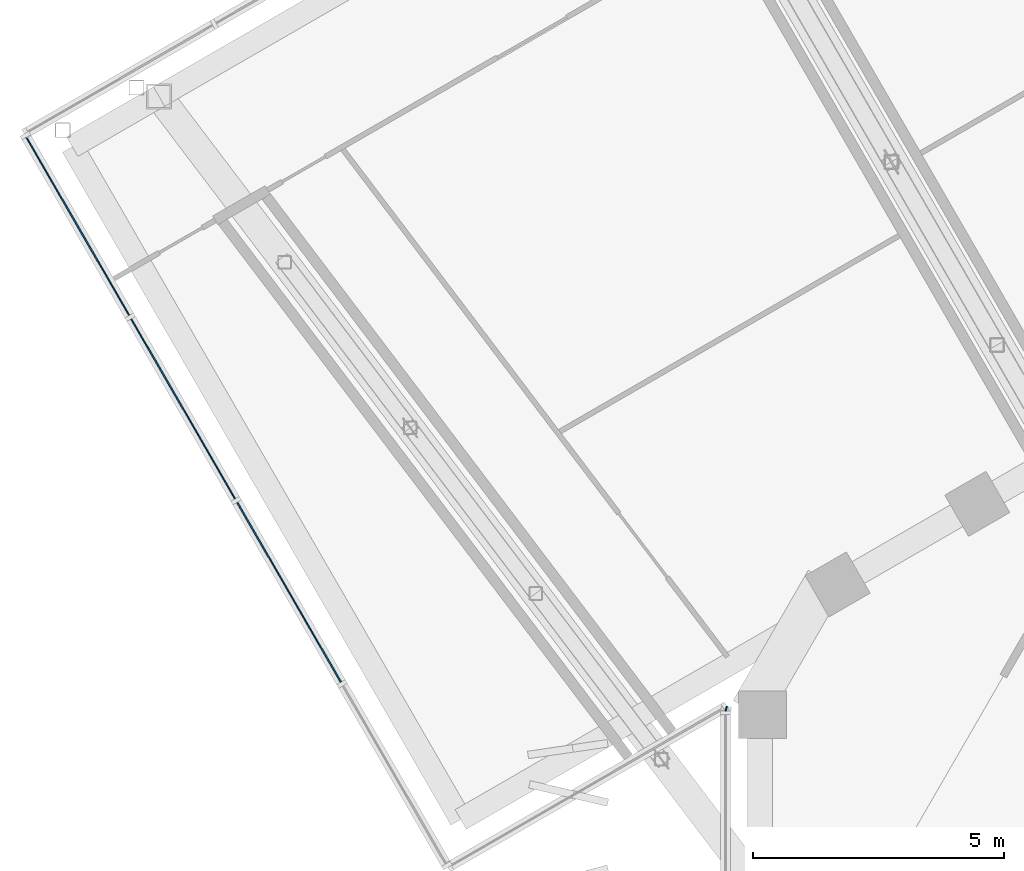
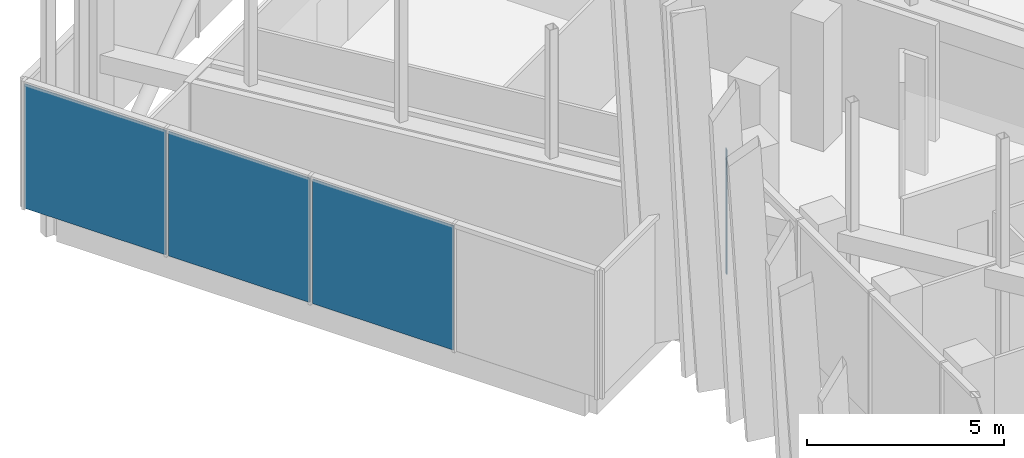
# One storey, part 14 of 29: 4 plates, 2 elements without a shape of their own.
"""IFC4 building model written with IfcOpenShell, lengths in metres."""

from ifc_helpers import new_model, si_unit, direction, frame, origin, origin_2d, place, context, subcontext, project, spatial, rectangle, extrude, material, layer, layer_set, type_object, element, aggregate, save


model = new_model("IFC4")

# Units and contexts
model_context = context("Model", 3, precision=1e-05, world=origin(), true_north=direction((0.0, 1.0)))
body_context = subcontext(model_context, "Body", "Model", "MODEL_VIEW")
ifc_project = project(units=[si_unit("LENGTHUNIT", "METRE"), si_unit("AREAUNIT", "SQUARE_METRE"), si_unit("VOLUMEUNIT", "CUBIC_METRE"), si_unit("PLANEANGLEUNIT", "RADIAN"), si_unit("MASSUNIT", "GRAM", prefix="KILO")], contexts=[model_context])

# Site, building, storey
site_placement = place(None, origin())
site = spatial("IfcSite", under=ifc_project, at=site_placement, CompositionType="ELEMENT")
building_placement = place(site_placement, origin())
building = spatial("IfcBuilding", under=site, at=building_placement, Name="Ayvan Gate Tower", CompositionType="ELEMENT")
storey_placement = place(building_placement, frame((0.0, 0.0, 186.699951171875)))
storey = spatial("IfcBuildingStorey", under=building, at=storey_placement, Name="L50", CompositionType="ELEMENT", Elevation=186.699951171875)

# Curtain wall, plates
ifc_material_1 = material(Name="Bronze anodised aluminium", Category="aluminium")
ifc_layer_1 = layer(ifc_material_1, 0.199951171875)
ifc_layer_set_1 = layer_set([ifc_layer_1], Name="Bronze anodised aluminium")
curtain_wall_type_1 = type_object("IfcCurtainWallType", Name="Stick curtain wall CW-4", PredefinedType="NOTDEFINED", material=ifc_layer_set_1)
curtain_wall_1_placement = place(storey_placement, origin())
curtain_wall_1 = element("IfcCurtainWall", 1, at=curtain_wall_1_placement, inside=storey, type_object=curtain_wall_type_1, Name="Stick curtain wall CW-4 L50", PredefinedType="NOTDEFINED")
ifc_material_2 = material(Name="Clear low-iron laminated glass", Category="glass")
ifc_layer_2 = layer(ifc_material_2, 0.028076171875)
ifc_layer_set_2 = layer_set([ifc_layer_2], Name="Clear low-iron laminated glass")
plate_type_1 = type_object("IfcPlateType", Name="Stick curtain wall CW-4 glass panel", PredefinedType="CURTAIN_PANEL", material=ifc_layer_set_2)
plate_1_placement = place(storey_placement, frame((-29.116455078125, 15.2314453125, 0.0), z_axis=(0.0, 0.0, 1.0), x_axis=(0.5, -0.866025403784, 0.0)))
plate_1 = element("IfcPlate", 2, at=plate_1_placement, type_object=plate_type_1, Name="CW-4 glass panel 2", PredefinedType="CURTAIN_PANEL", context=body_context, shape_type="SweptSolid", body=[
    extrude(rectangle(XDim=4.14501953125, YDim=0.028076171875, at=origin_2d()), origin(), (0.0, 0.0, 1.0), 3.860107421875),
])
ifc_material_3 = material(Name="Pale anodised aluminium composite panel", Category="aluminium")
ifc_layer_3 = layer(ifc_material_3, 0.028076171875)
ifc_layer_set_3 = layer_set([ifc_layer_3], Name="Pale anodised aluminium composite panel")
plate_type_2 = type_object("IfcPlateType", Name="Stick curtain wall CW-4 solid panel", PredefinedType="CURTAIN_PANEL", material=ifc_layer_set_3)
plate_2_placement = place(storey_placement, frame((-31.22900390625, 18.890380859375, 0.0), z_axis=(0.0, 0.0, 1.0), x_axis=(0.5, -0.866025403784, 0.0)))
plate_2 = element("IfcPlate", 3, at=plate_2_placement, type_object=plate_type_2, Name="CW-4 solid panel 1", PredefinedType="CURTAIN_PANEL", context=body_context, shape_type="SweptSolid", body=[
    extrude(rectangle(XDim=4.14501953125, YDim=0.028076171875, at=origin_2d()), origin(), (0.0, 0.0, 1.0), 3.860107421875),
])
plate_3_placement = place(storey_placement, frame((-27.004150390625, 11.572509765625, 0.0), z_axis=(0.0, 0.0, 1.0), x_axis=(0.5, -0.866025403784, 0.0)))
plate_3 = element("IfcPlate", 4, at=plate_3_placement, type_object=plate_type_2, Name="CW-4 solid panel 3", PredefinedType="CURTAIN_PANEL", context=body_context, shape_type="SweptSolid", body=[
    extrude(rectangle(XDim=4.14501953125, YDim=0.028076171875, at=origin_2d()), origin(), (0.0, 0.0, 1.0), 3.860107421875),
])
aggregate(curtain_wall_1, [plate_2, plate_1, plate_3])

# Curtain wall, plate
ifc_layer_4 = layer(ifc_material_1, 0.199951171875)
ifc_layer_set_4 = layer_set([ifc_layer_4], Name="Bronze anodised aluminium")
curtain_wall_type_2 = type_object("IfcCurtainWallType", Name="Stick curtain wall CW-6", PredefinedType="NOTDEFINED", material=ifc_layer_set_4)
curtain_wall_2_placement = place(storey_placement, origin())
curtain_wall_2 = element("IfcCurtainWall", 5, at=curtain_wall_2_placement, inside=storey, type_object=curtain_wall_type_2, Name="Stick curtain wall CW-6 L50", PredefinedType="NOTDEFINED")
ifc_layer_5 = layer(ifc_material_2, 0.028076171875)
ifc_layer_set_5 = layer_set([ifc_layer_5], Name="Clear low-iron laminated glass")
plate_type_3 = type_object("IfcPlateType", Name="Stick curtain wall CW-6 glass panel", PredefinedType="CURTAIN_PANEL", material=ifc_layer_set_5)
plate_4_placement = place(storey_placement, frame((-18.2802734375, 9.250732421875, 0.0), z_axis=(0.0, 0.0, 1.0), x_axis=(-0.258819045103, -0.965925826289, 0.0)))
plate_4 = element("IfcPlate", 6, at=plate_4_placement, type_object=plate_type_3, Name="CW-6 glass panel 1", PredefinedType="CURTAIN_PANEL", context=body_context, shape_type="SweptSolid", body=[
    extrude(rectangle(XDim=0.099365234375, YDim=0.028076171875, at=origin_2d()), origin(), (0.0, 0.0, 1.0), 3.8798828125),
])
aggregate(curtain_wall_2, [plate_4])

save(model, "model.ifc")
